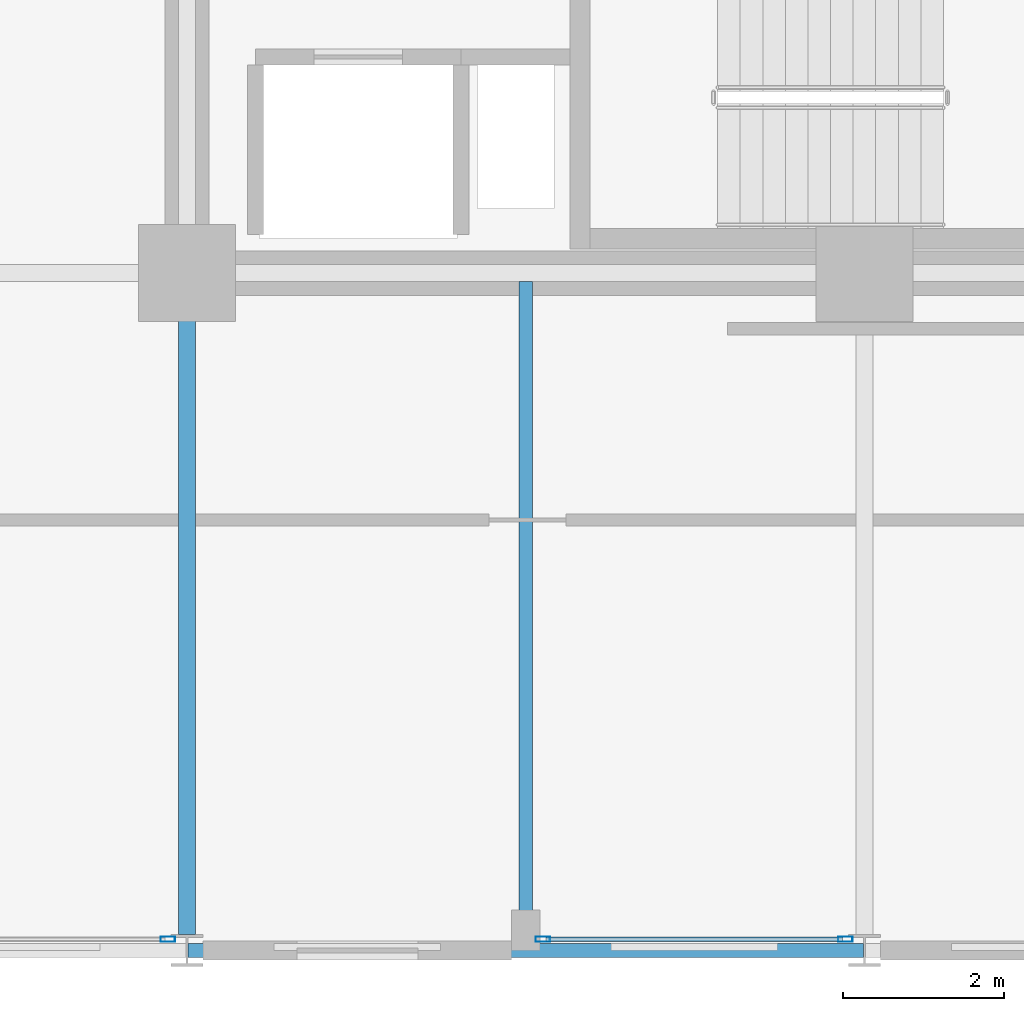
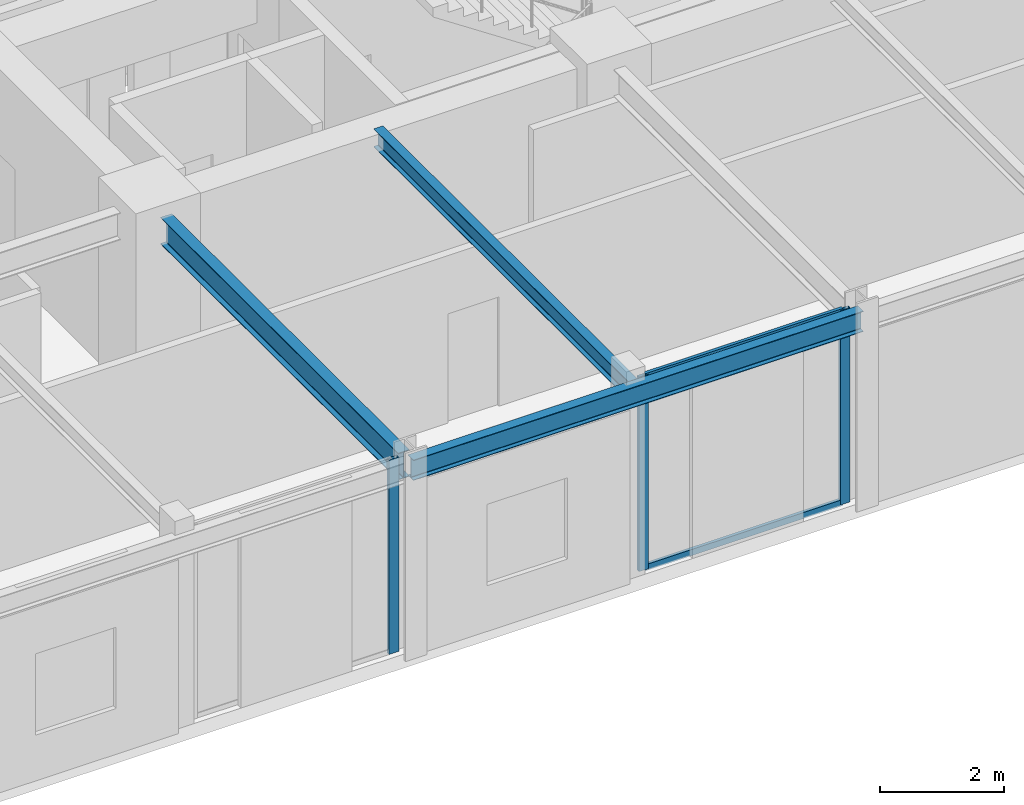
# One storey, part 6 of 29: 5 members, 3 beams, 2 elements without a shape of their own.
"""IFC4 building model written with IfcOpenShell, lengths in metres."""

from ifc_helpers import new_model, si_unit, direction, frame, origin, origin_2d, place, context, subcontext, project, spatial, hollow_rectangle, i_section, extrude, material, layer, layer_set, material_profile, profile_set, type_object, element, aggregate, save


model = new_model("IFC4")

# Units and contexts
model_context = context("Model", 3, precision=1e-05, world=origin(), true_north=direction((0.0, 1.0)))
body_context = subcontext(model_context, "Body", "Model", "MODEL_VIEW")
ifc_project = project(units=[si_unit("LENGTHUNIT", "METRE"), si_unit("AREAUNIT", "SQUARE_METRE"), si_unit("VOLUMEUNIT", "CUBIC_METRE"), si_unit("PLANEANGLEUNIT", "RADIAN"), si_unit("MASSUNIT", "GRAM", prefix="KILO")], contexts=[model_context])

# Site, building, storey
site_placement = place(None, origin())
site = spatial("IfcSite", under=ifc_project, at=site_placement, CompositionType="ELEMENT")
building_placement = place(site_placement, origin())
building = spatial("IfcBuilding", under=site, at=building_placement, Name="Nerrivon Quay Data Exchange", CompositionType="ELEMENT")
storey_placement = place(building_placement, frame((0.0, 0.0, 145.89990234375)))
storey = spatial("IfcBuildingStorey", under=building, at=storey_placement, Name="L34", CompositionType="ELEMENT", Elevation=145.89990234375)

# Beams
ifc_material_1 = material(Name="Steel Grade 350", Category="steel")
ifc_material_profile_1 = material_profile(ifc_material_1, i_section(OverallWidth=0.208984375, OverallDepth=0.528076171875, WebThickness=0.009521484375, FlangeThickness=0.01318359375, FilletRadius=0.013916015625, at=origin_2d()), Name="530UB82.0")
ifc_profile_set_1 = profile_set([ifc_material_profile_1], Name="Steel Grade 350")
beam_type_1 = type_object("IfcBeamType", Name="BM-G4-530UB82", PredefinedType="BEAM", material=ifc_profile_set_1)
beam_1_placement = place(storey_placement, frame((16.800048828125, 0.199951171875, 3.56103515625), z_axis=(0.0, 1.0, 0.0), x_axis=(-1.0, 0.0, 0.0)))
element("IfcBeam", 1, at=beam_1_placement, inside=storey, type_object=beam_type_1, Name="L34 NS Girder X=16.8 (0.0..8.4)", PredefinedType="BEAM", context=body_context, shape_type="SweptSolid", body=[
    extrude(i_section(OverallWidth=0.208984375, OverallDepth=0.528076171875, WebThickness=0.009521484375, FlangeThickness=0.01318359375, FilletRadius=0.013916015625, at=origin_2d()), origin(), (0.0, 0.0, 1.0), 7.66015625),
])
ifc_material_profile_2 = material_profile(ifc_material_1, i_section(OverallWidth=0.1708984375, OverallDepth=0.35595703125, WebThickness=0.00732421875, FlangeThickness=0.011474609375, FilletRadius=0.011474609375, at=origin_2d()), Name="360UB50.7")
ifc_profile_set_2 = profile_set([ifc_material_profile_2], Name="Steel Grade 350")
beam_type_2 = type_object("IfcBeamType", Name="BM-J4-360UB51", PredefinedType="JOIST", material=ifc_profile_set_2)
beam_2_placement = place(storey_placement, frame((21.0, 0.089111328125, 3.647216796875), z_axis=(0.0, 1.0, 0.0), x_axis=(-1.0, 0.0, 0.0)))
element("IfcBeam", 2, at=beam_2_placement, inside=storey, type_object=beam_type_2, Name="L34 Secondary Joist X=21.0 (0.0..8.4)", PredefinedType="JOIST", context=body_context, shape_type="SweptSolid", body=[
    extrude(i_section(OverallWidth=0.1708984375, OverallDepth=0.35595703125, WebThickness=0.00732421875, FlangeThickness=0.011474609375, FilletRadius=0.011474609375, at=origin_2d()), origin(), (0.0, 0.0, 1.0), 8.206298828125),
])
ifc_material_profile_3 = material_profile(ifc_material_1, i_section(OverallWidth=0.177978515625, OverallDepth=0.403076171875, WebThickness=0.007568359375, FlangeThickness=0.010986328125, FilletRadius=0.011474609375, at=origin_2d()), Name="410UB53.7")
ifc_profile_set_3 = profile_set([ifc_material_profile_3], Name="Steel Grade 350")
beam_type_3 = type_object("IfcBeamType", Name="BM-SP2-410UB54", PredefinedType="SPANDREL", material=ifc_profile_set_3)
beam_3_placement = place(storey_placement, frame((16.8125, 0.0, 3.62353515625), z_axis=(1.0, 0.0, 0.0), x_axis=(0.0, 1.0, 0.0)))
element("IfcBeam", 3, at=beam_3_placement, inside=storey, type_object=beam_type_3, Name="L34 EW Girder Y=0.0 (16.8..25.2)", PredefinedType="SPANDREL", context=body_context, shape_type="SweptSolid", body=[
    extrude(i_section(OverallWidth=0.177978515625, OverallDepth=0.403076171875, WebThickness=0.007568359375, FlangeThickness=0.010986328125, FilletRadius=0.011474609375, at=origin_2d()), origin(), (0.0, 0.0, 1.0), 8.375),
])

# Curtain wall, members
ifc_material_2 = material(Name="Anodised aluminium 6063-T6", Category="aluminium")
ifc_layer = layer(ifc_material_2, 0.2099609375)
ifc_layer_set = layer_set([ifc_layer], Name="Anodised aluminium 6063-T6")
curtain_wall_type = type_object("IfcCurtainWallType", Name="CW-SYS-02", PredefinedType="NOTDEFINED", material=ifc_layer_set)
curtain_wall_1_placement = place(storey_placement, origin())
curtain_wall_1 = element("IfcCurtainWall", 4, at=curtain_wall_1_placement, inside=storey, type_object=curtain_wall_type, Name="L34 Unitised Curtain Wall 4", PredefinedType="NOTDEFINED")
ifc_material_profile_4 = material_profile(ifc_material_2, hollow_rectangle(XDim=0.06494140625, YDim=0.179931640625, WallThickness=0.00341796875, at=origin_2d()), Name="ALU-MULL-180x65")
ifc_profile_set_4 = profile_set([ifc_material_profile_4], Name="Anodised aluminium 6063-T6")
member_type_1 = type_object("IfcMemberType", Name="CWM-180x65", PredefinedType="MULLION", material=ifc_profile_set_4)
member_1_placement = place(storey_placement, frame((24.96240234375, 0.139892578125, 0.0), z_axis=(0.0, 0.0, 1.0), x_axis=(0.0, -1.0, 0.0)))
member_1 = element("IfcMember", 5, at=member_1_placement, type_object=member_type_1, Name="CW02 mullion 1", PredefinedType="MULLION", context=body_context, shape_type="SweptSolid", body=[
    extrude(hollow_rectangle(XDim=0.06494140625, YDim=0.179931640625, WallThickness=0.00341796875, at=origin_2d()), origin(), (0.0, 0.0, 1.0), 3.8251953125),
])
member_2_placement = place(storey_placement, frame((21.21240234375, 0.139892578125, 0.0), z_axis=(0.0, 0.0, 1.0), x_axis=(0.0, -1.0, 0.0)))
member_2 = element("IfcMember", 6, at=member_2_placement, type_object=member_type_1, Name="CW02 mullion 2", PredefinedType="MULLION", context=body_context, shape_type="SweptSolid", body=[
    extrude(hollow_rectangle(XDim=0.06494140625, YDim=0.179931640625, WallThickness=0.00341796875, at=origin_2d()), origin(), (0.0, 0.0, 1.0), 3.8251953125),
])

# Curtain wall, member
curtain_wall_2_placement = place(storey_placement, origin())
curtain_wall_2 = element("IfcCurtainWall", 7, at=curtain_wall_2_placement, inside=storey, type_object=curtain_wall_type, Name="L34 Unitised Curtain Wall 6", PredefinedType="NOTDEFINED")
member_3_placement = place(storey_placement, frame((16.5625, 0.139892578125, 0.0), z_axis=(0.0, 0.0, 1.0), x_axis=(0.0, -1.0, 0.0)))
member_3 = element("IfcMember", 8, at=member_3_placement, type_object=member_type_1, Name="CW02 mullion 1", PredefinedType="MULLION", context=body_context, shape_type="SweptSolid", body=[
    extrude(hollow_rectangle(XDim=0.06494140625, YDim=0.179931640625, WallThickness=0.00341796875, at=origin_2d()), origin(), (0.0, 0.0, 1.0), 3.8251953125),
])
aggregate(curtain_wall_2, [member_3])

# Member
ifc_material_profile_5 = material_profile(ifc_material_2, hollow_rectangle(XDim=0.06005859375, YDim=0.1201171875, WallThickness=0.003173828125, at=origin_2d()), Name="ALU-TRAN-120x60")
ifc_profile_set_5 = profile_set([ifc_material_profile_5], Name="Anodised aluminium 6063-T6")
member_type_2 = type_object("IfcMemberType", Name="CWT-120x60", PredefinedType="USERDEFINED", material=ifc_profile_set_5)
member_4_placement = place(storey_placement, frame((24.925048828125, 0.139892578125, 0.03271484375), z_axis=(-1.0, 0.0, 0.0), x_axis=(0.0, -1.0, 0.0)))
member_4 = element("IfcMember", 9, at=member_4_placement, type_object=member_type_2, Name="CW02 transom 1.1", ObjectType="TRANSOM", PredefinedType="USERDEFINED", context=body_context, shape_type="SweptSolid", body=[
    extrude(hollow_rectangle(XDim=0.06005859375, YDim=0.1201171875, WallThickness=0.003173828125, at=origin_2d()), origin(), (0.0, 0.0, 1.0), 3.675048828125),
])

member_5_placement = place(storey_placement, frame((24.925048828125, 0.139892578125, 3.79248046875), z_axis=(-1.0, 0.0, 0.0), x_axis=(0.0, -1.0, 0.0)))
member_5 = element("IfcMember", 10, at=member_5_placement, type_object=member_type_2, Name="CW02 transom 1.2", ObjectType="TRANSOM", PredefinedType="USERDEFINED", context=body_context, shape_type="SweptSolid", body=[
    extrude(hollow_rectangle(XDim=0.06005859375, YDim=0.1201171875, WallThickness=0.003173828125, at=origin_2d()), origin(), (0.0, 0.0, 1.0), 3.675048828125),
])

aggregate(curtain_wall_1, [member_1, member_2, member_4, member_5])

save(model, "model.ifc")
